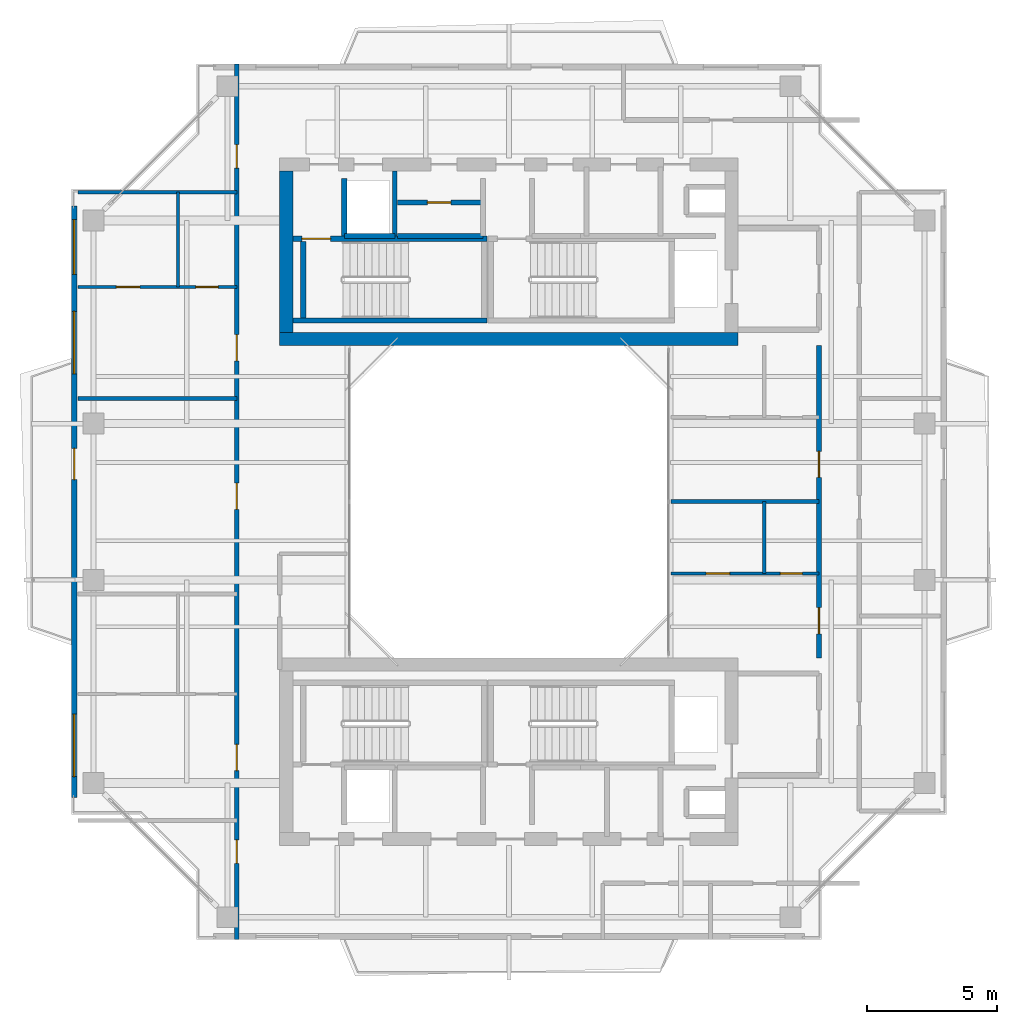
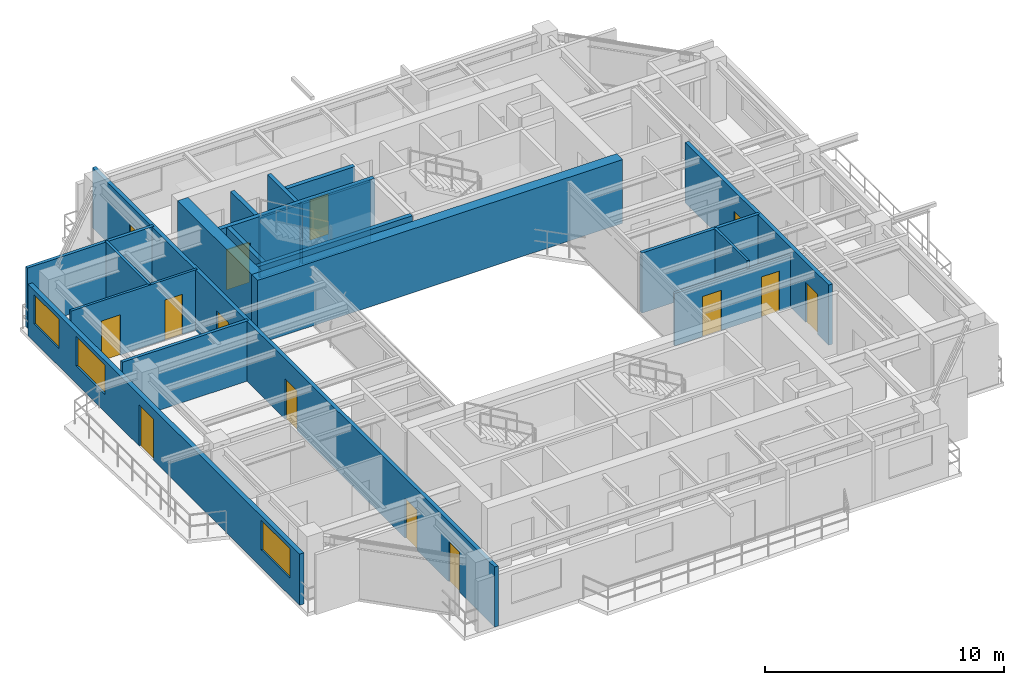
# One storey, part 11 of 15: 20 walls, 14 doors, 3 windows, 17 openings.
"""IFC4 building model written with IfcOpenShell, lengths in metres."""

from ifc_helpers import new_model, si_unit, direction, frame, frame_2d, origin, place, context, subcontext, project, spatial, rectangle, extrude, source, transform, mapped, material, layer, layer_set, type_object, element, fill, save


model = new_model("IFC4")

# Units and contexts
model_context = context("Model", 3, precision=1e-05, world=origin(), true_north=direction((0.0, 1.0)))
body_context = subcontext(model_context, "Body", "Model", "MODEL_VIEW")
ifc_project = project(units=[si_unit("LENGTHUNIT", "METRE"), si_unit("AREAUNIT", "SQUARE_METRE"), si_unit("VOLUMEUNIT", "CUBIC_METRE"), si_unit("PLANEANGLEUNIT", "RADIAN"), si_unit("MASSUNIT", "GRAM", prefix="KILO"), si_unit("THERMODYNAMICTEMPERATUREUNIT", "KELVIN"), si_unit("POWERUNIT", "WATT")], contexts=[model_context])

# Site, building, storey
site_placement = place(None, origin())
site = spatial("IfcSite", under=ifc_project, at=site_placement, CompositionType="ELEMENT")
building_placement = place(site_placement, origin())
building = spatial("IfcBuilding", under=site, at=building_placement, Name="Qiaomeng Ring Towers", CompositionType="ELEMENT")
storey_placement = place(building_placement, frame((0.0, 0.0, 200.25)))
storey = spatial("IfcBuildingStorey", under=building, at=storey_placement, Name="L58", CompositionType="ELEMENT", Elevation=200.25)

# Wall, openings, windows, door
ifc_material_1 = material(Name="Precast concrete C40", Category="concrete")
ifc_layer_1 = layer(ifc_material_1, 0.219970703125, Name="Precast concrete C40")
ifc_layer_set_1 = layer_set([ifc_layer_1], Name="Precast concrete C40")
wall_type_1 = type_object("IfcWallType", Name="ARC-WL-EW2", PredefinedType="STANDARD", material=ifc_layer_set_1)
wall_1_placement = place(storey_placement, frame((2.31005859375, 11.64990234375, 0.0), z_axis=(0.0, 0.0, 1.0), x_axis=(0.0, 1.0, 0.0)))
wall_1 = element("IfcWall", 1, at=wall_1_placement, inside=storey, type_object=wall_type_1, Name="L58 Tower 1 W Exterior Wall", PredefinedType="STANDARD", context=body_context, shape_type="SweptSolid", body=[
    extrude(rectangle(XDim=22.7001953125, YDim=0.219970703125, at=frame_2d((11.35009765625, 0.0))), origin(), (0.0, 0.0, 1.0), 2.610107421875),
])
opening_1_placement = place(wall_1_placement, frame((12.199951171875, 0.0, 0.0)))
opening_1 = element("IfcOpeningElement", 2, at=opening_1_placement, cuts=wall_1, Name="Opening BD1", PredefinedType="OPENING", context=body_context, shape_type="SweptSolid", body=[
    extrude(rectangle(XDim=1.199951171875, YDim=2.10009765625, at=frame_2d((0.60009765625, 1.050048828125))), frame((0.0, 0.119873046875, 0.0), z_axis=(0.0, -1.0, 0.0), x_axis=(1.0, 0.0, 0.0)), (0.0, 0.0, 1.0), 0.239990234375),
])
opening_2_placement = place(wall_1_placement, frame((0.800048828125, 0.0, 0.89990234375)))
opening_2 = element("IfcOpeningElement", 3, at=opening_2_placement, cuts=wall_1, Name="Opening WN6", PredefinedType="OPENING", context=body_context, shape_type="SweptSolid", body=[
    extrude(rectangle(XDim=2.39990234375, YDim=1.5, at=frame_2d((1.199951171875, 0.75))), frame((0.0, 0.119873046875, 0.0), z_axis=(0.0, -1.0, 0.0), x_axis=(1.0, 0.0, 0.0)), (0.0, 0.0, 1.0), 0.239990234375),
])
opening_3_placement = place(wall_1_placement, frame((20.080078125, 0.0, 0.89990234375)))
opening_3 = element("IfcOpeningElement", 4, at=opening_3_placement, cuts=wall_1, Name="Opening WN4", PredefinedType="OPENING", context=body_context, shape_type="SweptSolid", body=[
    extrude(rectangle(XDim=2.10009765625, YDim=1.5, at=frame_2d((1.050048828125, 0.75))), frame((0.0, 0.119873046875, 0.0), z_axis=(0.0, -1.0, 0.0), x_axis=(1.0, 0.0, 0.0)), (0.0, 0.0, 1.0), 0.239990234375),
])
opening_4_placement = place(wall_1_placement, frame((16.257568359375, 0.0, 0.89990234375)))
opening_4 = element("IfcOpeningElement", 5, at=opening_4_placement, cuts=wall_1, Name="Opening WN6", PredefinedType="OPENING", context=body_context, shape_type="SweptSolid", body=[
    extrude(rectangle(XDim=2.39990234375, YDim=1.5, at=frame_2d((1.199951171875, 0.75))), frame((0.0, 0.119873046875, 0.0), z_axis=(0.0, -1.0, 0.0), x_axis=(1.0, 0.0, 0.0)), (0.0, 0.0, 1.0), 0.239990234375),
])
ifc_material_2 = material(Name="Low-E dark-grey laminated double glazing", Category="glass")
window_type_1 = type_object("IfcWindowType", Name="ARC-WN-4", PartitioningType="TRIPLE_PANEL_VERTICAL", PredefinedType="WINDOW", material=ifc_material_2)
shared_shape_1 = source(origin(), body_context, "Body", "SweptSolid", [
    extrude(rectangle(XDim=2.10009765625, YDim=1.5, at=frame_2d((1.050048828125, 0.75))), frame((0.0, 0.030029296875, 0.0), z_axis=(0.0, -1.0, 0.0), x_axis=(1.0, 0.0, 0.0)), (0.0, 0.0, 1.0), 0.06005859375),
])
window_1_placement = place(opening_3_placement, origin())
window_1 = element("IfcWindow", 6, at=window_1_placement, inside=storey, type_object=window_type_1, Name="L58 Exterior Window WN4", OverallHeight=1.5, OverallWidth=2.10009765625, PartitioningType="TRIPLE_PANEL_VERTICAL", PredefinedType="WINDOW", context=body_context, shape_type="MappedRepresentation", body=[
    mapped(shared_shape_1, transform((0.0, 0.0, 0.0), x_axis=(1.0, 0.0, 0.0), y_axis=(0.0, 1.0, 0.0), z_axis=(0.0, 0.0, 1.0), scale=1.0)),
])
fill(opening_3, window_1)
door_type_1 = type_object("IfcDoorType", Name="ARC-DR-BD1", OperationType="NOTDEFINED", PredefinedType="DOOR", material=ifc_material_2)
shared_shape_2 = source(origin(), body_context, "Body", "SweptSolid", [
    extrude(rectangle(XDim=1.199951171875, YDim=2.10009765625, at=frame_2d((0.60009765625, 1.050048828125))), frame((0.0, 0.02490234375, 0.0), z_axis=(0.0, -1.0, 0.0), x_axis=(1.0, 0.0, 0.0)), (0.0, 0.0, 1.0), 0.050048828125),
])
door_1_placement = place(opening_1_placement, frame((1.199951171875, 0.0, 0.0), z_axis=(0.0, 0.0, 1.0), x_axis=(-1.0, 0.0, 0.0)))
door_1 = element("IfcDoor", 7, at=door_1_placement, inside=storey, type_object=door_type_1, Name="L58 W Balcony Glazed Door", OperationType="SINGLE_SWING_LEFT", OverallHeight=2.10009765625, OverallWidth=1.199951171875, PredefinedType="DOOR", context=body_context, shape_type="MappedRepresentation", body=[
    mapped(shared_shape_2, transform((0.0, 0.0, 0.0), x_axis=(1.0, 0.0, 0.0), y_axis=(0.0, 1.0, 0.0), z_axis=(0.0, 0.0, 1.0), scale=1.0)),
])
fill(opening_1, door_1)
window_type_2 = type_object("IfcWindowType", Name="ARC-WN-6", PartitioningType="TRIPLE_PANEL_VERTICAL", PredefinedType="WINDOW", material=ifc_material_2)
shared_shape_3 = source(origin(), body_context, "Body", "SweptSolid", [
    extrude(rectangle(XDim=2.39990234375, YDim=1.5, at=frame_2d((1.199951171875, 0.75))), frame((0.0, 0.030029296875, 0.0), z_axis=(0.0, -1.0, 0.0), x_axis=(1.0, 0.0, 0.0)), (0.0, 0.0, 1.0), 0.06005859375),
])
window_2_placement = place(opening_2_placement, origin())
window_2 = element("IfcWindow", 8, at=window_2_placement, inside=storey, type_object=window_type_2, Name="L58 Exterior Window WN6", OverallHeight=1.5, OverallWidth=2.39990234375, PartitioningType="TRIPLE_PANEL_VERTICAL", PredefinedType="WINDOW", context=body_context, shape_type="MappedRepresentation", body=[
    mapped(shared_shape_3, transform((0.0, 0.0, 0.0), x_axis=(1.0, 0.0, 0.0), y_axis=(0.0, 1.0, 0.0), z_axis=(0.0, 0.0, 1.0), scale=1.0)),
])
fill(opening_2, window_2)
window_3_placement = place(opening_4_placement, origin())
window_3 = element("IfcWindow", 9, at=window_3_placement, inside=storey, type_object=window_type_2, Name="L58 Exterior Window WN6", OverallHeight=1.5, OverallWidth=2.39990234375, PartitioningType="TRIPLE_PANEL_VERTICAL", PredefinedType="WINDOW", context=body_context, shape_type="MappedRepresentation", body=[
    mapped(shared_shape_3, transform((0.0, 0.0, 0.0), x_axis=(1.0, 0.0, 0.0), y_axis=(0.0, 1.0, 0.0), z_axis=(0.0, 0.0, 1.0), scale=1.0)),
])
fill(opening_4, window_3)

# Wall
ifc_material_3 = material(Name="Autoclaved aerated concrete block", Category="concrete")
ifc_layer_2 = layer(ifc_material_3, 0.199951171875, Name="Autoclaved aerated concrete block")
ifc_layer_set_2 = layer_set([ifc_layer_2], Name="Autoclaved aerated concrete block")
wall_type_2 = type_object("IfcWallType", Name="ARC-WL-PW1", PredefinedType="PARTITIONING", material=ifc_layer_set_2)
wall_2_placement = place(storey_placement, frame((12.679931640625, 33.18994140625, 0.0), z_axis=(0.0, 0.0, 1.0), x_axis=(0.0, 1.0, 0.0)))
element("IfcWall", 10, at=wall_2_placement, inside=storey, type_object=wall_type_2, Name="L58 Interior Wall PW1", PredefinedType="PARTITIONING", context=body_context, shape_type="SweptSolid", body=[
    extrude(rectangle(XDim=2.2099609375, YDim=0.199951171875, at=frame_2d((1.10498046875, 0.0))), origin(), (0.0, 0.0, 1.0), 3.070068359375),
])

# Wall, opening, door
wall_3_placement = place(storey_placement, frame((14.719970703125, 34.47998046875, 0.0), z_axis=(0.0, 0.0, 1.0), x_axis=(1.0, 0.0, 0.0)))
wall_3 = element("IfcWall", 11, at=wall_3_placement, inside=storey, type_object=wall_type_2, Name="L58 Interior Wall PW1", PredefinedType="PARTITIONING", context=body_context, shape_type="SweptSolid", body=[
    extrude(rectangle(XDim=3.280029296875, YDim=0.199951171875, at=frame_2d((1.64013671875, 0.0))), origin(), (0.0, 0.0, 1.0), 3.070068359375),
])
opening_5_placement = place(wall_3_placement, frame((1.14990234375, 0.0, 0.0)))
opening_5 = element("IfcOpeningElement", 12, at=opening_5_placement, cuts=wall_3, Name="Opening ID1", PredefinedType="OPENING", context=body_context, shape_type="SweptSolid", body=[
    extrude(rectangle(XDim=0.89990234375, YDim=2.050048828125, at=frame_2d((0.449951171875, 1.02490234375))), frame((0.0, 0.10986328125, 0.0), z_axis=(0.0, -1.0, 0.0), x_axis=(1.0, 0.0, 0.0)), (0.0, 0.0, 1.0), 0.219970703125),
])
ifc_material_4 = material(Name="Engineered oak timber", Category="wood")
door_type_2 = type_object("IfcDoorType", Name="ARC-DR-ID1", OperationType="NOTDEFINED", PredefinedType="DOOR", material=ifc_material_4)
shared_shape_4 = source(origin(), body_context, "Body", "SweptSolid", [
    extrude(rectangle(XDim=0.89990234375, YDim=2.050048828125, at=frame_2d((0.449951171875, 1.02490234375))), frame((0.0, 0.02490234375, 0.0), z_axis=(0.0, -1.0, 0.0), x_axis=(1.0, 0.0, 0.0)), (0.0, 0.0, 1.0), 0.050048828125),
])
door_2_placement = place(opening_5_placement, origin())
door_2 = element("IfcDoor", 13, at=door_2_placement, inside=storey, type_object=door_type_2, Name="L58 Door ID1", OperationType="SINGLE_SWING_RIGHT", OverallHeight=2.050048828125, OverallWidth=0.89990234375, PredefinedType="DOOR", context=body_context, shape_type="MappedRepresentation", body=[
    mapped(shared_shape_4, transform((0.0, 0.0, 0.0), x_axis=(1.0, 0.0, 0.0), y_axis=(0.0, 1.0, 0.0), z_axis=(0.0, 0.0, 1.0), scale=1.0)),
])
fill(opening_5, door_2)

# Wall
wall_4_placement = place(storey_placement, frame((14.719970703125, 33.199951171875, 0.0), z_axis=(0.0, 0.0, 1.0), x_axis=(1.0, 0.0, 0.0)))
element("IfcWall", 14, at=wall_4_placement, inside=storey, type_object=wall_type_2, Name="L58 Interior Wall PW1", PredefinedType="PARTITIONING", context=body_context, shape_type="SweptSolid", body=[
    extrude(rectangle(XDim=3.280029296875, YDim=0.199951171875, at=frame_2d((1.64013671875, 0.0))), origin(), (0.0, 0.0, 1.0), 3.070068359375),
])

# Wall, openings, doors
ifc_layer_3 = layer(ifc_material_3, 0.179931640625, Name="Autoclaved aerated concrete block")
ifc_layer_set_3 = layer_set([ifc_layer_3], Name="Autoclaved aerated concrete block")
wall_type_3 = type_object("IfcWallType", Name="ARC-WL-PW2", PredefinedType="PARTITIONING", material=ifc_layer_set_3)
wall_5_placement = place(storey_placement, frame((8.550048828125, 6.199951171875, 0.0), z_axis=(0.0, 0.0, 1.0), x_axis=(0.0, 1.0, 0.0)))
wall_5 = element("IfcWall", 15, at=wall_5_placement, inside=storey, type_object=wall_type_3, Name="L58 Interior Wall PW2", PredefinedType="PARTITIONING", context=body_context, shape_type="SweptSolid", body=[
    extrude(rectangle(XDim=33.60009765625, YDim=0.179931640625, at=frame_2d((16.800048828125, 0.0))), origin(), (0.0, 0.0, 1.0), 3.070068359375),
])
opening_6_placement = place(wall_5_placement, frame((29.60498046875, 0.0, 0.0)))
opening_6 = element("IfcOpeningElement", 16, at=opening_6_placement, cuts=wall_5, Name="Opening ID1", PredefinedType="OPENING", context=body_context, shape_type="SweptSolid", body=[
    extrude(rectangle(XDim=0.89990234375, YDim=2.050048828125, at=frame_2d((0.449951171875, 1.02490234375))), frame((0.0, 0.099853515625, 0.0), z_axis=(0.0, -1.0, 0.0), x_axis=(1.0, 0.0, 0.0)), (0.0, 0.0, 1.0), 0.199951171875),
])
opening_7_placement = place(wall_5_placement, frame((2.919921875, 0.0, 0.0)))
opening_7 = element("IfcOpeningElement", 17, at=opening_7_placement, cuts=wall_5, Name="Opening ID1", PredefinedType="OPENING", context=body_context, shape_type="SweptSolid", body=[
    extrude(rectangle(XDim=0.89990234375, YDim=2.050048828125, at=frame_2d((0.449951171875, 1.02490234375))), frame((0.0, 0.099853515625, 0.0), z_axis=(0.0, -1.0, 0.0), x_axis=(1.0, 0.0, 0.0)), (0.0, 0.0, 1.0), 0.199951171875),
])
opening_8_placement = place(wall_5_placement, frame((6.47998046875, 0.0, 0.0)))
opening_8 = element("IfcOpeningElement", 18, at=opening_8_placement, cuts=wall_5, Name="Opening FD4", PredefinedType="OPENING", context=body_context, shape_type="SweptSolid", body=[
    extrude(rectangle(XDim=1.0, YDim=2.050048828125, at=frame_2d((0.5, 1.02490234375))), frame((0.0, 0.099853515625, 0.0), z_axis=(0.0, -1.0, 0.0), x_axis=(1.0, 0.0, 0.0)), (0.0, 0.0, 1.0), 0.199951171875),
])
opening_9_placement = place(wall_5_placement, frame((16.510009765625, 0.0, 0.0)))
opening_9 = element("IfcOpeningElement", 19, at=opening_9_placement, cuts=wall_5, Name="Opening FD4", PredefinedType="OPENING", context=body_context, shape_type="SweptSolid", body=[
    extrude(rectangle(XDim=1.0, YDim=2.050048828125, at=frame_2d((0.5, 1.02490234375))), frame((0.0, 0.099853515625, 0.0), z_axis=(0.0, -1.0, 0.0), x_axis=(1.0, 0.0, 0.0)), (0.0, 0.0, 1.0), 0.199951171875),
])
opening_10_placement = place(wall_5_placement, frame((22.2099609375, 0.0, 0.0)))
opening_10 = element("IfcOpeningElement", 20, at=opening_10_placement, cuts=wall_5, Name="Opening FD4", PredefinedType="OPENING", context=body_context, shape_type="SweptSolid", body=[
    extrude(rectangle(XDim=1.0, YDim=2.050048828125, at=frame_2d((0.5, 1.02490234375))), frame((0.0, 0.099853515625, 0.0), z_axis=(0.0, -1.0, 0.0), x_axis=(1.0, 0.0, 0.0)), (0.0, 0.0, 1.0), 0.199951171875),
])
ifc_material_5 = material(Name="Engineered fire-rated oak timber", Category="wood")
door_type_3 = type_object("IfcDoorType", Name="ARC-DR-FD4", OperationType="NOTDEFINED", PredefinedType="DOOR", material=ifc_material_5)
shared_shape_5 = source(origin(), body_context, "Body", "SweptSolid", [
    extrude(rectangle(XDim=1.0, YDim=2.050048828125, at=frame_2d((0.5, 1.02490234375))), frame((0.0, 0.02490234375, 0.0), z_axis=(0.0, -1.0, 0.0), x_axis=(1.0, 0.0, 0.0)), (0.0, 0.0, 1.0), 0.050048828125),
])
door_3_placement = place(opening_8_placement, origin())
door_3 = element("IfcDoor", 21, at=door_3_placement, inside=storey, type_object=door_type_3, Name="L58 Door FD4", OperationType="SINGLE_SWING_RIGHT", OverallHeight=2.050048828125, OverallWidth=1.0, PredefinedType="DOOR", context=body_context, shape_type="MappedRepresentation", body=[
    mapped(shared_shape_5, transform((0.0, 0.0, 0.0), x_axis=(1.0, 0.0, 0.0), y_axis=(0.0, 1.0, 0.0), z_axis=(0.0, 0.0, 1.0), scale=1.0)),
])
fill(opening_8, door_3)
door_4_placement = place(opening_9_placement, origin())
door_4 = element("IfcDoor", 22, at=door_4_placement, inside=storey, type_object=door_type_3, Name="L58 Door FD4", OperationType="SINGLE_SWING_LEFT", OverallHeight=2.050048828125, OverallWidth=1.0, PredefinedType="DOOR", context=body_context, shape_type="MappedRepresentation", body=[
    mapped(shared_shape_5, transform((0.0, 0.0, 0.0), x_axis=(1.0, 0.0, 0.0), y_axis=(0.0, 1.0, 0.0), z_axis=(0.0, 0.0, 1.0), scale=1.0)),
])
fill(opening_9, door_4)
door_5_placement = place(opening_10_placement, origin())
door_5 = element("IfcDoor", 23, at=door_5_placement, inside=storey, type_object=door_type_3, Name="L58 Door FD4", OperationType="SINGLE_SWING_RIGHT", OverallHeight=2.050048828125, OverallWidth=1.0, PredefinedType="DOOR", context=body_context, shape_type="MappedRepresentation", body=[
    mapped(shared_shape_5, transform((0.0, 0.0, 0.0), x_axis=(1.0, 0.0, 0.0), y_axis=(0.0, 1.0, 0.0), z_axis=(0.0, 0.0, 1.0), scale=1.0)),
])
fill(opening_10, door_5)
door_6_placement = place(opening_6_placement, origin())
door_6 = element("IfcDoor", 24, at=door_6_placement, inside=storey, type_object=door_type_2, Name="L58 Door ID1", OperationType="SINGLE_SWING_RIGHT", OverallHeight=2.050048828125, OverallWidth=0.89990234375, PredefinedType="DOOR", context=body_context, shape_type="MappedRepresentation", body=[
    mapped(shared_shape_4, transform((0.0, 0.0, 0.0), x_axis=(1.0, 0.0, 0.0), y_axis=(0.0, 1.0, 0.0), z_axis=(0.0, 0.0, 1.0), scale=1.0)),
])
fill(opening_6, door_6)
door_7_placement = place(opening_7_placement, origin())
door_7 = element("IfcDoor", 25, at=door_7_placement, inside=storey, type_object=door_type_2, Name="L58 Door ID1", OperationType="SINGLE_SWING_LEFT", OverallHeight=2.050048828125, OverallWidth=0.89990234375, PredefinedType="DOOR", context=body_context, shape_type="MappedRepresentation", body=[
    mapped(shared_shape_4, transform((0.0, 0.0, 0.0), x_axis=(1.0, 0.0, 0.0), y_axis=(0.0, 1.0, 0.0), z_axis=(0.0, 0.0, 1.0), scale=1.0)),
])
fill(opening_7, door_7)

wall_6_placement = place(storey_placement, frame((30.89990234375, 17.0, 0.0), z_axis=(0.0, 0.0, 1.0), x_axis=(0.0, 1.0, 0.0)))
wall_6 = element("IfcWall", 26, at=wall_6_placement, inside=storey, type_object=wall_type_3, Name="L58 Interior Wall PW2", PredefinedType="PARTITIONING", context=body_context, shape_type="SweptSolid", body=[
    extrude(rectangle(XDim=12.0, YDim=0.179931640625, at=frame_2d((6.0, 0.0))), origin(), (0.0, 0.0, 1.0), 3.070068359375),
])
opening_11_placement = place(wall_6_placement, frame((0.929931640625, 0.0, 0.0)))
opening_11 = element("IfcOpeningElement", 27, at=opening_11_placement, cuts=wall_6, Name="Opening FD4", PredefinedType="OPENING", context=body_context, shape_type="SweptSolid", body=[
    extrude(rectangle(XDim=1.0, YDim=2.050048828125, at=frame_2d((0.5, 1.02490234375))), frame((0.0, 0.099853515625, 0.0), z_axis=(0.0, -1.0, 0.0), x_axis=(1.0, 0.0, 0.0)), (0.0, 0.0, 1.0), 0.199951171875),
])
opening_12_placement = place(wall_6_placement, frame((6.929931640625, 0.0, 0.0)))
opening_12 = element("IfcOpeningElement", 28, at=opening_12_placement, cuts=wall_6, Name="Opening FD4", PredefinedType="OPENING", context=body_context, shape_type="SweptSolid", body=[
    extrude(rectangle(XDim=1.0, YDim=2.050048828125, at=frame_2d((0.5, 1.02490234375))), frame((0.0, 0.099853515625, 0.0), z_axis=(0.0, -1.0, 0.0), x_axis=(1.0, 0.0, 0.0)), (0.0, 0.0, 1.0), 0.199951171875),
])
door_8_placement = place(opening_11_placement, origin())
door_8 = element("IfcDoor", 29, at=door_8_placement, inside=storey, type_object=door_type_3, Name="L58 Door FD4", OperationType="SINGLE_SWING_RIGHT", OverallHeight=2.050048828125, OverallWidth=1.0, PredefinedType="DOOR", context=body_context, shape_type="MappedRepresentation", body=[
    mapped(shared_shape_5, transform((0.0, 0.0, 0.0), x_axis=(1.0, 0.0, 0.0), y_axis=(0.0, 1.0, 0.0), z_axis=(0.0, 0.0, 1.0), scale=1.0)),
])
fill(opening_11, door_8)
door_9_placement = place(opening_12_placement, origin())
door_9 = element("IfcDoor", 30, at=door_9_placement, inside=storey, type_object=door_type_3, Name="L58 Door FD4", OperationType="SINGLE_SWING_LEFT", OverallHeight=2.050048828125, OverallWidth=1.0, PredefinedType="DOOR", context=body_context, shape_type="MappedRepresentation", body=[
    mapped(shared_shape_5, transform((0.0, 0.0, 0.0), x_axis=(1.0, 0.0, 0.0), y_axis=(0.0, 1.0, 0.0), z_axis=(0.0, 0.0, 1.0), scale=1.0)),
])
fill(opening_12, door_9)

# Walls
ifc_material_6 = material(Name="Gypsum fireboard steel-stud partition", Category="steel")
ifc_layer_4 = layer(ifc_material_6, 0.14990234375, Name="Gypsum fireboard steel-stud partition")
ifc_layer_set_4 = layer_set([ifc_layer_4], Name="Gypsum fireboard steel-stud partition")
wall_type_4 = type_object("IfcWallType", Name="ARC-WL-PW3", PredefinedType="PARTITIONING", material=ifc_layer_set_4)
for number, where, z_axis, x_axis, name in (
    (31, (2.449951171875, 34.8798828125, 0.0), (0.0, 0.0, 1.0), (1.0, 0.0, 0.0), "L58 Interior Wall PW3"),
    (32, (2.449951171875, 26.9599609375, 0.0), (0.0, 0.0, 1.0), (1.0, 0.0, 0.0), "L58 Interior Wall PW3"),
):
    element("IfcWall", number, at=place(storey_placement, frame(where, z_axis=z_axis, x_axis=x_axis)), inside=storey, type_object=wall_type_4, Name=name, PredefinedType="PARTITIONING", context=body_context, shape_type="SweptSolid", body=[
        extrude(rectangle(XDim=6.10009765625, YDim=0.14990234375, at=frame_2d((3.050048828125, 0.0))), origin(), (0.0, 0.0, 1.0), 3.070068359375),
    ])
wall_7_placement = place(storey_placement, frame((25.219970703125, 23.0, 0.0), z_axis=(0.0, 0.0, 1.0), x_axis=(1.0, 0.0, 0.0)))
element("IfcWall", 33, at=wall_7_placement, inside=storey, type_object=wall_type_4, Name="L58 Interior Wall PW3", PredefinedType="PARTITIONING", context=body_context, shape_type="SweptSolid", body=[
    extrude(rectangle(XDim=5.679931640625, YDim=0.14990234375, at=frame_2d((2.83984375, 0.0))), origin(), (0.0, 0.0, 1.0), 3.070068359375),
])

# Wall, openings, doors
ifc_material_7 = material(Name="Moisture-resistant gypsum steel-stud partition", Category="steel")
ifc_layer_5 = layer(ifc_material_7, 0.1201171875, Name="Moisture-resistant gypsum steel-stud partition")
ifc_layer_set_5 = layer_set([ifc_layer_5], Name="Moisture-resistant gypsum steel-stud partition")
wall_type_5 = type_object("IfcWallType", Name="ARC-WL-PW4", PredefinedType="PLUMBINGWALL", material=ifc_layer_set_5)
wall_8_placement = place(storey_placement, frame((2.449951171875, 31.239990234375, 0.0), z_axis=(0.0, 0.0, 1.0), x_axis=(1.0, 0.0, 0.0)))
wall_8 = element("IfcWall", 34, at=wall_8_placement, inside=storey, type_object=wall_type_5, Name="L58 Interior Wall PW4", PredefinedType="PLUMBINGWALL", context=body_context, shape_type="SweptSolid", body=[
    extrude(rectangle(XDim=6.10009765625, YDim=0.1201171875, at=frame_2d((3.050048828125, 0.0))), origin(), (0.0, 0.0, 1.0), 3.070068359375),
])
opening_13_placement = place(wall_8_placement, frame((1.47998046875, 0.0, 0.0)))
opening_13 = element("IfcOpeningElement", 35, at=opening_13_placement, cuts=wall_8, Name="Opening ID1", PredefinedType="OPENING", context=body_context, shape_type="SweptSolid", body=[
    extrude(rectangle(XDim=0.89990234375, YDim=2.050048828125, at=frame_2d((0.449951171875, 1.02490234375))), frame((0.0, 0.070068359375, 0.0), z_axis=(0.0, -1.0, 0.0), x_axis=(1.0, 0.0, 0.0)), (0.0, 0.0, 1.0), 0.14013671875),
])
opening_14_placement = place(wall_8_placement, frame((4.534912109375, 0.0, 0.0)))
opening_14 = element("IfcOpeningElement", 36, at=opening_14_placement, cuts=wall_8, Name="Opening ID2", PredefinedType="OPENING", context=body_context, shape_type="SweptSolid", body=[
    extrude(rectangle(XDim=0.85009765625, YDim=2.050048828125, at=frame_2d((0.425048828125, 1.02490234375))), frame((0.0, 0.070068359375, 0.0), z_axis=(0.0, -1.0, 0.0), x_axis=(1.0, 0.0, 0.0)), (0.0, 0.0, 1.0), 0.14013671875),
])
ifc_material_8 = material(Name="Moisture-resistant engineered timber", Category="wood")
door_type_4 = type_object("IfcDoorType", Name="ARC-DR-ID2", OperationType="NOTDEFINED", PredefinedType="DOOR", material=ifc_material_8)
shared_shape_6 = source(origin(), body_context, "Body", "SweptSolid", [
    extrude(rectangle(XDim=0.85009765625, YDim=2.050048828125, at=frame_2d((0.425048828125, 1.02490234375))), frame((0.0, 0.02490234375, 0.0), z_axis=(0.0, -1.0, 0.0), x_axis=(1.0, 0.0, 0.0)), (0.0, 0.0, 1.0), 0.050048828125),
])
door_10_placement = place(opening_14_placement, origin())
door_10 = element("IfcDoor", 37, at=door_10_placement, inside=storey, type_object=door_type_4, Name="L58 Door ID2", OperationType="SINGLE_SWING_LEFT", OverallHeight=2.050048828125, OverallWidth=0.85009765625, PredefinedType="DOOR", context=body_context, shape_type="MappedRepresentation", body=[
    mapped(shared_shape_6, transform((0.0, 0.0, 0.0), x_axis=(1.0, 0.0, 0.0), y_axis=(0.0, 1.0, 0.0), z_axis=(0.0, 0.0, 1.0), scale=1.0)),
])
fill(opening_14, door_10)
door_11_placement = place(opening_13_placement, origin())
door_11 = element("IfcDoor", 38, at=door_11_placement, inside=storey, type_object=door_type_2, Name="L58 Door ID1", OperationType="SINGLE_SWING_RIGHT", OverallHeight=2.050048828125, OverallWidth=0.89990234375, PredefinedType="DOOR", context=body_context, shape_type="MappedRepresentation", body=[
    mapped(shared_shape_4, transform((0.0, 0.0, 0.0), x_axis=(1.0, 0.0, 0.0), y_axis=(0.0, 1.0, 0.0), z_axis=(0.0, 0.0, 1.0), scale=1.0)),
])
fill(opening_13, door_11)

# Wall
wall_9_placement = place(storey_placement, frame((6.2900390625, 31.239990234375, 0.0), z_axis=(0.0, 0.0, 1.0), x_axis=(0.0, 1.0, 0.0)))
element("IfcWall", 39, at=wall_9_placement, inside=storey, type_object=wall_type_5, Name="L58 Interior Wall PW4", PredefinedType="PLUMBINGWALL", context=body_context, shape_type="SweptSolid", body=[
    extrude(rectangle(XDim=3.639892578125, YDim=0.1201171875, at=frame_2d((1.81982421875, 0.0))), origin(), (0.0, 0.0, 1.0), 3.070068359375),
])

# Wall, openings, doors
wall_10_placement = place(storey_placement, frame((25.219970703125, 20.239990234375, 0.0), z_axis=(0.0, 0.0, 1.0), x_axis=(1.0, 0.0, 0.0)))
wall_10 = element("IfcWall", 40, at=wall_10_placement, inside=storey, type_object=wall_type_5, Name="L58 Interior Wall PW4", PredefinedType="PLUMBINGWALL", context=body_context, shape_type="SweptSolid", body=[
    extrude(rectangle(XDim=5.679931640625, YDim=0.1201171875, at=frame_2d((2.83984375, 0.0))), origin(), (0.0, 0.0, 1.0), 2.675048828125),
])
opening_15_placement = place(wall_10_placement, frame((1.35009765625, 0.0, 0.0)))
opening_15 = element("IfcOpeningElement", 41, at=opening_15_placement, cuts=wall_10, Name="Opening ID1", PredefinedType="OPENING", context=body_context, shape_type="SweptSolid", body=[
    extrude(rectangle(XDim=0.89990234375, YDim=2.050048828125, at=frame_2d((0.449951171875, 1.02490234375))), frame((0.0, 0.070068359375, 0.0), z_axis=(0.0, -1.0, 0.0), x_axis=(1.0, 0.0, 0.0)), (0.0, 0.0, 1.0), 0.14013671875),
])
opening_16_placement = place(wall_10_placement, frame((4.195068359375, 0.0, 0.0)))
opening_16 = element("IfcOpeningElement", 42, at=opening_16_placement, cuts=wall_10, Name="Opening ID2", PredefinedType="OPENING", context=body_context, shape_type="SweptSolid", body=[
    extrude(rectangle(XDim=0.85009765625, YDim=2.050048828125, at=frame_2d((0.425048828125, 1.02490234375))), frame((0.0, 0.070068359375, 0.0), z_axis=(0.0, -1.0, 0.0), x_axis=(1.0, 0.0, 0.0)), (0.0, 0.0, 1.0), 0.14013671875),
])
door_12_placement = place(opening_16_placement, origin())
door_12 = element("IfcDoor", 43, at=door_12_placement, inside=storey, type_object=door_type_4, Name="L58 Door ID2", OperationType="SINGLE_SWING_LEFT", OverallHeight=2.050048828125, OverallWidth=0.85009765625, PredefinedType="DOOR", context=body_context, shape_type="MappedRepresentation", body=[
    mapped(shared_shape_6, transform((0.0, 0.0, 0.0), x_axis=(1.0, 0.0, 0.0), y_axis=(0.0, 1.0, 0.0), z_axis=(0.0, 0.0, 1.0), scale=1.0)),
])
fill(opening_16, door_12)
door_13_placement = place(opening_15_placement, origin())
door_13 = element("IfcDoor", 44, at=door_13_placement, inside=storey, type_object=door_type_2, Name="L58 Door ID1", OperationType="SINGLE_SWING_RIGHT", OverallHeight=2.050048828125, OverallWidth=0.89990234375, PredefinedType="DOOR", context=body_context, shape_type="MappedRepresentation", body=[
    mapped(shared_shape_4, transform((0.0, 0.0, 0.0), x_axis=(1.0, 0.0, 0.0), y_axis=(0.0, 1.0, 0.0), z_axis=(0.0, 0.0, 1.0), scale=1.0)),
])
fill(opening_15, door_13)

# Walls
wall_11_placement = place(storey_placement, frame((28.800048828125, 20.239990234375, 0.0), z_axis=(0.0, 0.0, 1.0), x_axis=(0.0, 1.0, 0.0)))
element("IfcWall", 45, at=wall_11_placement, inside=storey, type_object=wall_type_5, Name="L58 Interior Wall PW4", PredefinedType="PLUMBINGWALL", context=body_context, shape_type="SweptSolid", body=[
    extrude(rectangle(XDim=2.760009765625, YDim=0.1201171875, at=frame_2d((1.3798828125, 0.0))), origin(), (0.0, 0.0, 1.0), 3.070068359375),
])
ifc_material_9 = material(Name="Concrete C40", Category="concrete")
ifc_layer_6 = layer(ifc_material_9, 0.199951171875, Name="Concrete C40")
ifc_layer_set_6 = layer_set([ifc_layer_6], Name="Concrete C40")
wall_type_6 = type_object("IfcWallType", Name="STR-WL-STSHAFT", PredefinedType="SHEAR", material=ifc_layer_set_6)
wall_12_placement = place(storey_placement, frame((12.679931640625, 33.199951171875, 0.0), z_axis=(0.0, 0.0, 1.0), x_axis=(1.0, 0.0, 0.0)))
element("IfcWall", 46, at=wall_12_placement, inside=storey, type_object=wall_type_6, Name="L58 Lift LP5 Shaft Back Wall", PredefinedType="SHEAR", context=body_context, shape_type="SweptSolid", body=[
    extrude(rectangle(XDim=1.940185546875, YDim=0.179931640625, at=frame_2d((0.97021484375, 0.0))), origin(), (0.0, 0.0, 1.0), 3.070068359375),
])
wall_13_placement = place(storey_placement, frame((14.6201171875, 33.199951171875, 0.0), z_axis=(0.0, 0.0, 1.0), x_axis=(0.0, 1.0, 0.0)))
element("IfcWall", 47, at=wall_13_placement, inside=storey, type_object=wall_type_6, Name="L58 Lift LP5-LP3 Shaft Divider Wall", PredefinedType="SHEAR", context=body_context, shape_type="SweptSolid", body=[
    extrude(rectangle(XDim=2.5, YDim=0.179931640625, at=frame_2d((1.25, 0.0))), origin(), (0.0, 0.0, 1.0), 3.070068359375),
])
wall_14_placement = place(storey_placement, frame((10.699951171875, 29.949951171875, 0.0), z_axis=(0.0, 0.0, 1.0), x_axis=(1.0, 0.0, 0.0)))
element("IfcWall", 48, at=wall_14_placement, inside=storey, type_object=wall_type_6, Name="L58 Stair ST1 South Shaft Shear Wall", PredefinedType="SHEAR", context=body_context, shape_type="SweptSolid", body=[
    extrude(rectangle(XDim=7.449951171875, YDim=0.199951171875, at=frame_2d((3.72509765625, 0.0))), origin(), (0.0, 0.0, 1.0), 3.25),
])

# Wall, opening, door
wall_15_placement = place(storey_placement, frame((10.699951171875, 33.090087890625, 0.0), z_axis=(0.0, 0.0, 1.0), x_axis=(1.0, 0.0, 0.0)))
wall_15 = element("IfcWall", 49, at=wall_15_placement, inside=storey, type_object=wall_type_6, Name="L58 Stair ST1 North Shaft Shear Wall", PredefinedType="SHEAR", context=body_context, shape_type="SweptSolid", body=[
    extrude(rectangle(XDim=7.449951171875, YDim=0.199951171875, at=frame_2d((3.72509765625, 0.0))), origin(), (0.0, 0.0, 1.0), 3.25),
])
opening_17_placement = place(wall_15_placement, frame((0.35009765625, 0.0, 0.0)))
opening_17 = element("IfcOpeningElement", 50, at=opening_17_placement, cuts=wall_15, Name="Opening FD3", PredefinedType="OPENING", context=body_context, shape_type="SweptSolid", body=[
    extrude(rectangle(XDim=1.10009765625, YDim=2.050048828125, at=frame_2d((0.550048828125, 1.02490234375))), frame((0.0, 0.10986328125, 0.0), z_axis=(0.0, -1.0, 0.0), x_axis=(1.0, 0.0, 0.0)), (0.0, 0.0, 1.0), 0.219970703125),
])
ifc_material_10 = material(Name="Galvanised steel", Category="steel")
door_type_5 = type_object("IfcDoorType", Name="ARC-DR-FD3", OperationType="NOTDEFINED", PredefinedType="DOOR", material=ifc_material_10)
shared_shape_7 = source(origin(), body_context, "Body", "SweptSolid", [
    extrude(rectangle(XDim=1.10009765625, YDim=2.050048828125, at=frame_2d((0.550048828125, 1.02490234375))), frame((0.0, 0.02490234375, 0.0), z_axis=(0.0, -1.0, 0.0), x_axis=(1.0, 0.0, 0.0)), (0.0, 0.0, 1.0), 0.050048828125),
])
door_14_placement = place(opening_17_placement, origin())
door_14 = element("IfcDoor", 51, at=door_14_placement, inside=storey, type_object=door_type_5, Name="L58 Stair ST1 Exit Door", OperationType="SINGLE_SWING_LEFT", OverallHeight=2.050048828125, OverallWidth=1.10009765625, PredefinedType="DOOR", context=body_context, shape_type="MappedRepresentation", body=[
    mapped(shared_shape_7, transform((0.0, 0.0, 0.0), x_axis=(1.0, 0.0, 0.0), y_axis=(0.0, 1.0, 0.0), z_axis=(0.0, 0.0, 1.0), scale=1.0)),
])
fill(opening_17, door_14)

# Walls
wall_16_placement = place(storey_placement, frame((11.10009765625, 30.050048828125, 0.0), z_axis=(0.0, 0.0, 1.0), x_axis=(0.0, 1.0, 0.0)))
element("IfcWall", 52, at=wall_16_placement, inside=storey, type_object=wall_type_6, Name="L58 Stair ST1 West Shaft Shear Wall", PredefinedType="SHEAR", context=body_context, shape_type="SweptSolid", body=[
    extrude(rectangle(XDim=2.93994140625, YDim=0.199951171875, at=frame_2d((1.469970703125, 0.0))), origin(), (0.0, 0.0, 1.0), 3.25),
])
ifc_layer_7 = layer(ifc_material_9, 0.5, Name="Concrete C40")
ifc_layer_set_7 = layer_set([ifc_layer_7], Name="Concrete C40")
wall_type_7 = type_object("IfcWallType", Name="STR-WL-SW3", PredefinedType="SHEAR", material=ifc_layer_set_7)
wall_17_placement = place(storey_placement, frame((10.199951171875, 29.25, 0.0), z_axis=(0.0, 0.0, 1.0), x_axis=(1.0, 0.0, 0.0)))
element("IfcWall", 53, at=wall_17_placement, inside=storey, type_object=wall_type_7, Name="L58 T1NC south core shear wall", PredefinedType="SHEAR", context=body_context, shape_type="SweptSolid", body=[
    extrude(rectangle(XDim=17.60009765625, YDim=0.5, at=frame_2d((8.800048828125, 0.0))), origin(), (0.0, 0.0, 1.0), 3.25),
])
wall_18_placement = place(storey_placement, frame((10.449951171875, 29.5, 0.0), z_axis=(0.0, 0.0, 1.0), x_axis=(0.0, 1.0, 0.0)))
element("IfcWall", 54, at=wall_18_placement, inside=storey, type_object=wall_type_7, Name="L58 T1NC west core shear wall", PredefinedType="SHEAR", context=body_context, shape_type="SweptSolid", body=[
    extrude(rectangle(XDim=6.199951171875, YDim=0.5, at=frame_2d((3.10009765625, 0.0))), origin(), (0.0, 0.0, 1.0), 3.25),
])

save(model, "model.ifc")
